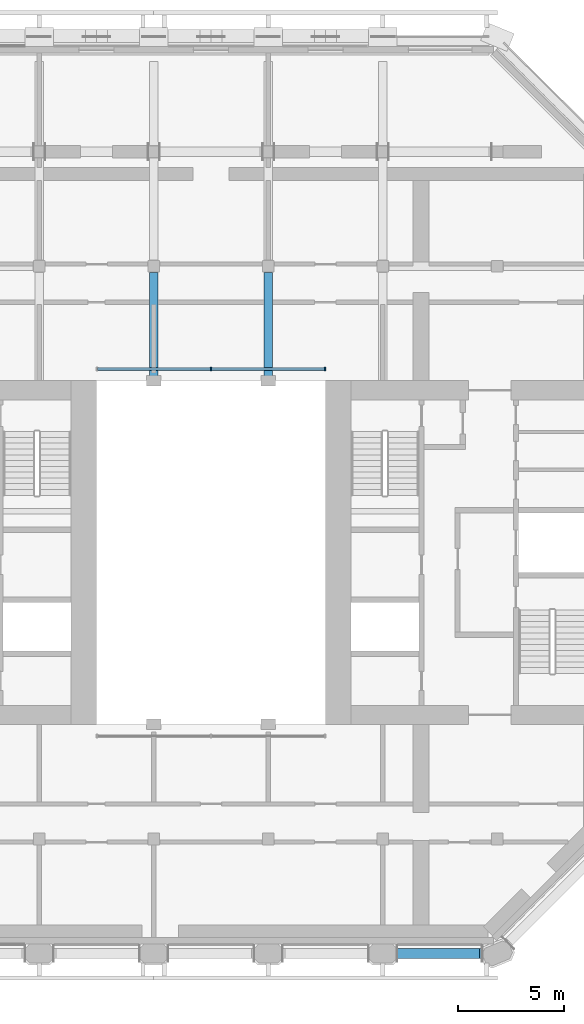
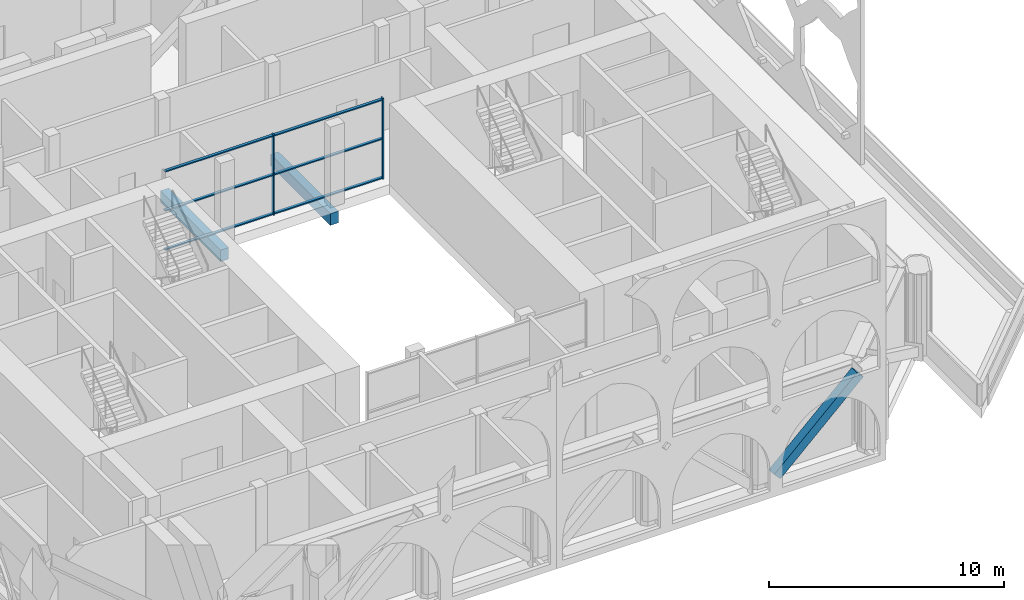
# One storey, part 4 of 16: 9 members, 2 beams, 1 element without a shape of its own.
"""IFC4 building model written with IfcOpenShell, lengths in metres."""

from ifc_helpers import new_model, si_unit, direction, frame, origin, origin_2d, place, context, subcontext, project, spatial, rectangle, extrude, material, material_profile, profile_set, type_object, element, aggregate, save


model = new_model("IFC4")

# Units and contexts
model_context = context("Model", 3, precision=1e-05, world=origin(), true_north=direction((0.0, 1.0)))
body_context = subcontext(model_context, "Body", "Model", "MODEL_VIEW")
ifc_project = project(units=[si_unit("LENGTHUNIT", "METRE"), si_unit("AREAUNIT", "SQUARE_METRE"), si_unit("VOLUMEUNIT", "CUBIC_METRE"), si_unit("PLANEANGLEUNIT", "RADIAN"), si_unit("MASSUNIT", "GRAM", prefix="KILO")], contexts=[model_context])

# Site, building, storey
site_placement = place(None, origin())
site = spatial("IfcSite", under=ifc_project, at=site_placement, CompositionType="ELEMENT")
building_placement = place(site_placement, origin())
building = spatial("IfcBuilding", under=site, at=building_placement, Name="Tabaq Tower and Sports Hall", CompositionType="ELEMENT")
storey_placement = place(building_placement, frame((0.0, 0.0, 308.199951171875)))
storey = spatial("IfcBuildingStorey", under=building, at=storey_placement, Name="L77", CompositionType="ELEMENT", Elevation=308.199951171875)

# Curtain wall, members
ifc_material_1 = material(Name="Aluminium alloy 6063-T6 framed glazing", Category="aluminium")
curtain_wall_type = type_object("IfcCurtainWallType", Name="CW1 curtain wall", PredefinedType="USERDEFINED", material=ifc_material_1)
curtain_wall_placement = place(storey_placement, origin())
curtain_wall = element("IfcCurtainWall", 1, at=curtain_wall_placement, inside=storey, type_object=curtain_wall_type, Name="Atrium glazing L77 N", ObjectType="ATRIUM ENCLOSURE", PredefinedType="USERDEFINED")
ifc_material_2 = material(Name="Aluminium alloy 6063-T6", Category="aluminium")
ifc_material_profile_1 = material_profile(ifc_material_2, rectangle(XDim=0.159912109375, YDim=0.06005859375, at=origin_2d()), Name="MULLION 160x60")
ifc_profile_set_1 = profile_set([ifc_material_profile_1], Name="Aluminium alloy 6063-T6")
member_type_1 = type_object("IfcMemberType", Name="CW1 mullion 160x60", PredefinedType="MULLION", material=ifc_profile_set_1)
member_1_placement = place(storey_placement, frame((24.300048828125, 32.949951171875, 0.0), z_axis=(0.0, 0.0, 1.0), x_axis=(0.0, 1.0, 0.0)))
member_1 = element("IfcMember", 2, at=member_1_placement, type_object=member_type_1, Name="CW1 mullion 2", PredefinedType="MULLION", context=body_context, shape_type="SweptSolid", body=[
    extrude(rectangle(XDim=0.159912109375, YDim=0.06005859375, at=origin_2d()), origin(), (0.0, 0.0, 1.0), 4.199951171875),
])
member_2_placement = place(storey_placement, frame((29.669921875, 32.949951171875, 0.0), z_axis=(0.0, 0.0, 1.0), x_axis=(0.0, 1.0, 0.0)))
member_2 = element("IfcMember", 3, at=member_2_placement, type_object=member_type_1, Name="CW1 mullion 3", PredefinedType="MULLION", context=body_context, shape_type="SweptSolid", body=[
    extrude(rectangle(XDim=0.159912109375, YDim=0.06005859375, at=origin_2d()), origin(), (0.0, 0.0, 1.0), 4.199951171875),
])
ifc_material_3 = material(Name="Aluminium alloy 6063-T6", Category="aluminium")
ifc_material_profile_2 = material_profile(ifc_material_3, rectangle(XDim=0.139892578125, YDim=0.06005859375, at=origin_2d()), Name="TRANSOM 140x60")
ifc_profile_set_2 = profile_set([ifc_material_profile_2], Name="Aluminium alloy 6063-T6")
member_type_2 = type_object("IfcMemberType", Name="CW1 transom 140x60", PredefinedType="USERDEFINED", material=ifc_profile_set_2)
member_3_placement = place(storey_placement, frame((18.9599609375, 32.949951171875, 0.070068359375), z_axis=(1.0, 0.0, 0.0), x_axis=(0.0, 1.0, 0.0)))
member_3 = element("IfcMember", 4, at=member_3_placement, type_object=member_type_2, Name="CW1 transom 1.1", ObjectType="TRANSOM", PredefinedType="USERDEFINED", context=body_context, shape_type="SweptSolid", body=[
    extrude(rectangle(XDim=0.139892578125, YDim=0.06005859375, at=origin_2d()), origin(), (0.0, 0.0, 1.0), 5.31005859375),
])
member_4_placement = place(storey_placement, frame((18.9599609375, 32.949951171875, 2.10009765625), z_axis=(1.0, 0.0, 0.0), x_axis=(0.0, 1.0, 0.0)))
member_4 = element("IfcMember", 5, at=member_4_placement, type_object=member_type_2, Name="CW1 transom 1.2", ObjectType="TRANSOM", PredefinedType="USERDEFINED", context=body_context, shape_type="SweptSolid", body=[
    extrude(rectangle(XDim=0.139892578125, YDim=0.06005859375, at=origin_2d()), origin(), (0.0, 0.0, 1.0), 5.31005859375),
])
member_5_placement = place(storey_placement, frame((18.9599609375, 32.949951171875, 4.130126953125), z_axis=(1.0, 0.0, 0.0), x_axis=(0.0, 1.0, 0.0)))
member_5 = element("IfcMember", 6, at=member_5_placement, type_object=member_type_2, Name="CW1 transom 1.3", ObjectType="TRANSOM", PredefinedType="USERDEFINED", context=body_context, shape_type="SweptSolid", body=[
    extrude(rectangle(XDim=0.139892578125, YDim=0.06005859375, at=origin_2d()), origin(), (0.0, 0.0, 1.0), 5.31005859375),
])
member_6_placement = place(storey_placement, frame((24.330078125, 32.949951171875, 0.070068359375), z_axis=(1.0, 0.0, 0.0), x_axis=(0.0, 1.0, 0.0)))
member_6 = element("IfcMember", 7, at=member_6_placement, type_object=member_type_2, Name="CW1 transom 2.1", ObjectType="TRANSOM", PredefinedType="USERDEFINED", context=body_context, shape_type="SweptSolid", body=[
    extrude(rectangle(XDim=0.139892578125, YDim=0.06005859375, at=origin_2d()), origin(), (0.0, 0.0, 1.0), 5.309814453125),
])
member_7_placement = place(storey_placement, frame((24.330078125, 32.949951171875, 2.10009765625), z_axis=(1.0, 0.0, 0.0), x_axis=(0.0, 1.0, 0.0)))
member_7 = element("IfcMember", 8, at=member_7_placement, type_object=member_type_2, Name="CW1 transom 2.2", ObjectType="TRANSOM", PredefinedType="USERDEFINED", context=body_context, shape_type="SweptSolid", body=[
    extrude(rectangle(XDim=0.139892578125, YDim=0.06005859375, at=origin_2d()), origin(), (0.0, 0.0, 1.0), 5.309814453125),
])
member_8_placement = place(storey_placement, frame((24.330078125, 32.949951171875, 4.130126953125), z_axis=(1.0, 0.0, 0.0), x_axis=(0.0, 1.0, 0.0)))
member_8 = element("IfcMember", 9, at=member_8_placement, type_object=member_type_2, Name="CW1 transom 2.3", ObjectType="TRANSOM", PredefinedType="USERDEFINED", context=body_context, shape_type="SweptSolid", body=[
    extrude(rectangle(XDim=0.139892578125, YDim=0.06005859375, at=origin_2d()), origin(), (0.0, 0.0, 1.0), 5.309814453125),
])
aggregate(curtain_wall, [member_1, member_2, member_3, member_4, member_5, member_6, member_7, member_8])

# Beams
ifc_material_4 = material(Name="Concrete C40/50", Category="concrete")
ifc_material_profile_3 = material_profile(ifc_material_4, rectangle(XDim=0.39990234375, YDim=0.60009765625, at=origin_2d()), Name="CB 400x600")
ifc_profile_set_3 = profile_set([ifc_material_profile_3], Name="Concrete C40/50")
beam_type = type_object("IfcBeamType", Name="PT CANTILEVER BEAM CB 400x600 C40/50", PredefinedType="BEAM", material=ifc_profile_set_3)
for number, where, z_axis, x_axis, name in (
    (10, (21.60009765625, 37.5, -0.800048828125), (0.0, -1.0, 0.0), (1.0, 0.0, 0.0), "Cantilever Beam L77 N4 span 3"),
    (11, (27.0, 37.5, -0.800048828125), (0.0, -1.0, 0.0), (1.0, 0.0, 0.0), "Cantilever Beam L77 N5 span 3"),
):
    element("IfcBeam", number, at=place(storey_placement, frame(where, z_axis=z_axis, x_axis=x_axis)), inside=storey, type_object=beam_type, Name=name, PredefinedType="BEAM", context=body_context, shape_type="SweptSolid", body=[
        extrude(rectangle(XDim=0.39990234375, YDim=0.60009765625, at=origin_2d()), origin(), (0.0, 0.0, 1.0), 5.10009765625),
    ])

# Member
ifc_material_5 = material(Name="Concrete C40/50", Category="concrete")
ifc_material_profile_4 = material_profile(ifc_material_5, rectangle(XDim=0.449951171875, YDim=0.449951171875, at=origin_2d()), Name="BELT STRUT 450x450")
ifc_profile_set_4 = profile_set([ifc_material_profile_4], Name="Concrete C40/50")
member_type_3 = type_object("IfcMemberType", Name="RC BELT TRUSS STRUT BELT STRUT 450x450 C40/50", PredefinedType="BRACE", material=ifc_profile_set_4)
member_9_placement = place(storey_placement, frame((33.044921875, 5.39990234375, 0.1630859375), z_axis=(0.72481186152, 0.0, 0.688946852377), x_axis=(0.0, 1.0, 0.0)))
element("IfcMember", 12, at=member_9_placement, inside=storey, type_object=member_type_3, Name="Belt Truss Strut L77 5", PredefinedType="BRACE", context=body_context, shape_type="SweptSolid", body=[
    extrude(rectangle(XDim=0.449951171875, YDim=0.449951171875, at=origin_2d()), origin(), (0.0, 0.0, 1.0), 5.622802734375),
])

save(model, "model.ifc")
